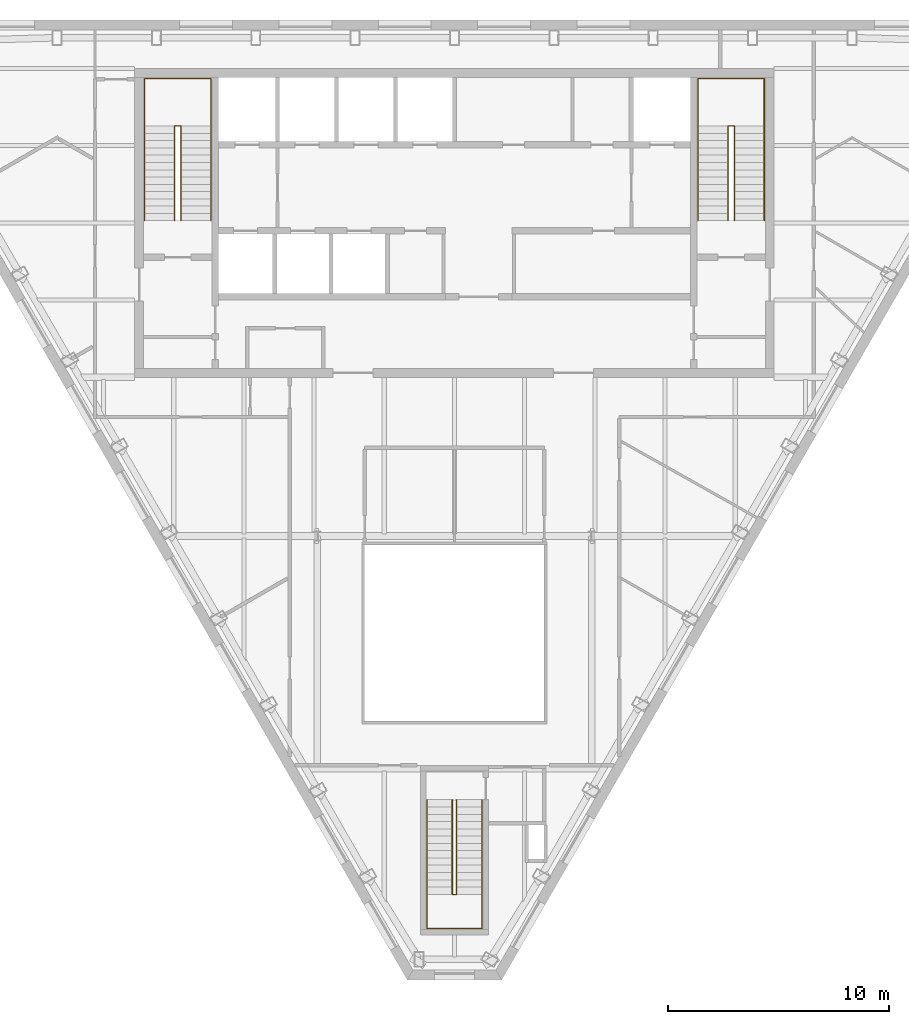
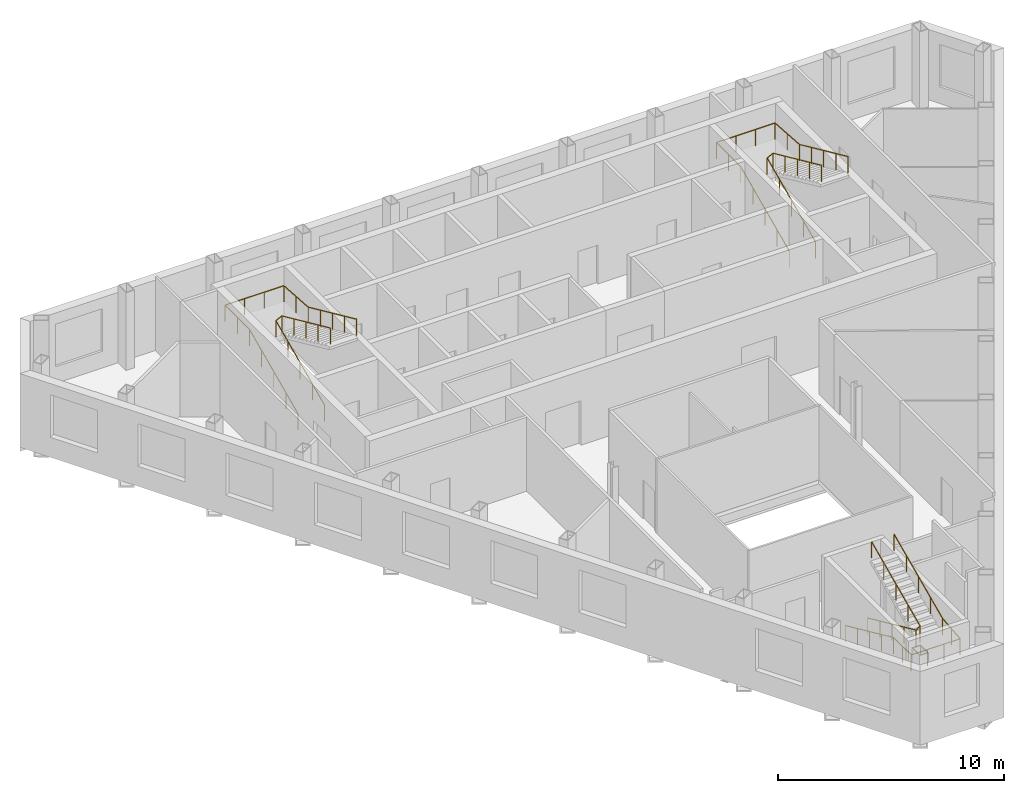
# One storey, part 9 of 9: 6 railings.
"""IFC4 building model written with IfcOpenShell, lengths in metres."""

from ifc_helpers import new_model, si_unit, direction, frame, origin, origin_2d, place, context, subcontext, project, spatial, circle, extrude, material, type_object, element, save


model = new_model("IFC4")

# Units and contexts
model_context = context("Model", 3, precision=1e-05, world=origin(), true_north=direction((0.0, 1.0)))
body_context = subcontext(model_context, "Body", "Model", "MODEL_VIEW")
ifc_project = project(units=[si_unit("LENGTHUNIT", "METRE"), si_unit("AREAUNIT", "SQUARE_METRE"), si_unit("VOLUMEUNIT", "CUBIC_METRE"), si_unit("PLANEANGLEUNIT", "RADIAN"), si_unit("MASSUNIT", "GRAM", prefix="KILO")], contexts=[model_context])

# Site, building, storey
site_placement = place(None, origin())
site = spatial("IfcSite", under=ifc_project, at=site_placement, CompositionType="ELEMENT")
building_placement = place(site_placement, origin())
building = spatial("IfcBuilding", under=site, at=building_placement, Name="Njiva Tower", CompositionType="ELEMENT")
storey_placement = place(building_placement, frame((0.0, 0.0, 321.0)))
storey = spatial("IfcBuildingStorey", under=building, at=storey_placement, Name="L73", CompositionType="ELEMENT", Elevation=321.0)

# Railings
ifc_material = material(Name="Stainless steel", Category="steel")
railing_type = type_object("IfcRailingType", Name="RL1 Stair handrail 900", PredefinedType="HANDRAIL", material=ifc_material)
railing_1_placement = place(storey_placement, frame((-14.05, 11.1, 0.15)))
element("IfcRailing", 1, at=railing_1_placement, inside=storey, type_object=railing_type, Name="Stair A handrail", PredefinedType="HANDRAIL", context=body_context, shape_type="SweptSolid", body=[
    extrude(circle(Radius=0.024, at=origin_2d()), frame((0.0, 0.0, 0.876), z_axis=(0.0, 0.910366477463, 0.413802944301), x_axis=(-1.0, 0.0, 0.0)), (0.0, 0.0, 1.0), 4.7124),
    extrude(circle(Radius=0.024, at=origin_2d()), frame((0.0, 4.29, 2.826), z_axis=(0.0, 1.0, 0.0), x_axis=(-1.0, 0.0, 0.0)), (0.0, 0.0, 1.0), 2.16),
    extrude(circle(Radius=0.024, at=origin_2d()), frame((0.0, 6.45, 2.826), z_axis=(1.0, 0.0, 0.0), x_axis=(0.0, 1.0, 0.0)), (0.0, 0.0, 1.0), 3.0),
    extrude(circle(Radius=0.024, at=origin_2d()), frame((3.0, 6.45, 2.826), z_axis=(0.0, -0.997597420968, 0.069277598678), x_axis=(1.0, 0.0, 0.0)), (0.0, 0.0, 1.0), 2.1652),
    extrude(circle(Radius=0.024, at=origin_2d()), frame((3.0, 4.29, 2.976), z_axis=(0.0, -0.910366477463, 0.413802944301), x_axis=(1.0, 0.0, 0.0)), (0.0, 0.0, 1.0), 4.7124),
    extrude(circle(Radius=0.021, at=origin_2d()), origin(), (0.0, 0.0, 1.0), 0.852),
    extrude(circle(Radius=0.021, at=origin_2d()), frame((0.0, 1.0725, 0.4875)), (0.0, 0.0, 1.0), 0.852),
    extrude(circle(Radius=0.021, at=origin_2d()), frame((0.0, 2.145, 0.975)), (0.0, 0.0, 1.0), 0.852),
    extrude(circle(Radius=0.021, at=origin_2d()), frame((0.0, 3.2175, 1.4625)), (0.0, 0.0, 1.0), 0.852),
    extrude(circle(Radius=0.021, at=origin_2d()), frame((0.0, 4.29, 1.95)), (0.0, 0.0, 1.0), 0.852),
    extrude(circle(Radius=0.021, at=origin_2d()), frame((0.0, 5.37, 1.95)), (0.0, 0.0, 1.0), 0.852),
    extrude(circle(Radius=0.021, at=origin_2d()), frame((0.0, 6.45, 1.95)), (0.0, 0.0, 1.0), 0.852),
    extrude(circle(Radius=0.021, at=origin_2d()), frame((1.0, 6.45, 1.95)), (0.0, 0.0, 1.0), 0.852),
    extrude(circle(Radius=0.021, at=origin_2d()), frame((2.0, 6.45, 1.95)), (0.0, 0.0, 1.0), 0.852),
    extrude(circle(Radius=0.021, at=origin_2d()), frame((3.0, 6.45, 1.95)), (0.0, 0.0, 1.0), 0.852),
    extrude(circle(Radius=0.021, at=origin_2d()), frame((3.0, 5.37, 2.025)), (0.0, 0.0, 1.0), 0.852),
    extrude(circle(Radius=0.021, at=origin_2d()), frame((3.0, 4.29, 2.1)), (0.0, 0.0, 1.0), 0.852),
    extrude(circle(Radius=0.021, at=origin_2d()), frame((3.0, 3.2175, 2.5875)), (0.0, 0.0, 1.0), 0.852),
    extrude(circle(Radius=0.021, at=origin_2d()), frame((3.0, 2.145, 3.075)), (0.0, 0.0, 1.0), 0.852),
    extrude(circle(Radius=0.021, at=origin_2d()), frame((3.0, 1.0725, 3.5625)), (0.0, 0.0, 1.0), 0.852),
    extrude(circle(Radius=0.021, at=origin_2d()), frame((3.0, 0.0, 4.05)), (0.0, 0.0, 1.0), 0.852),
])
railing_2_placement = place(storey_placement, frame((-12.7, 11.1, 0.15)))
element("IfcRailing", 2, at=railing_2_placement, inside=storey, type_object=railing_type, Name="Stair A handrail", PredefinedType="HANDRAIL", context=body_context, shape_type="SweptSolid", body=[
    extrude(circle(Radius=0.024, at=origin_2d()), frame((0.0, 0.0, 0.876), z_axis=(0.0, 0.910366477463, 0.413802944301), x_axis=(-1.0, 0.0, 0.0)), (0.0, 0.0, 1.0), 4.7124),
    extrude(circle(Radius=0.024, at=origin_2d()), frame((0.0, 4.29, 2.826), z_axis=(0.894427191, 0.0, 0.4472135955), x_axis=(0.0, 1.0, 0.0)), (0.0, 0.0, 1.0), 0.3354),
    extrude(circle(Radius=0.024, at=origin_2d()), frame((0.3, 4.29, 2.976), z_axis=(0.0, -0.910366477463, 0.413802944301), x_axis=(1.0, 0.0, 0.0)), (0.0, 0.0, 1.0), 4.7124),
    extrude(circle(Radius=0.021, at=origin_2d()), origin(), (0.0, 0.0, 1.0), 0.852),
    extrude(circle(Radius=0.021, at=origin_2d()), frame((0.0, 1.0725, 0.4875)), (0.0, 0.0, 1.0), 0.852),
    extrude(circle(Radius=0.021, at=origin_2d()), frame((0.0, 2.145, 0.975)), (0.0, 0.0, 1.0), 0.852),
    extrude(circle(Radius=0.021, at=origin_2d()), frame((0.0, 3.2175, 1.4625)), (0.0, 0.0, 1.0), 0.852),
    extrude(circle(Radius=0.021, at=origin_2d()), frame((0.0, 4.29, 1.95)), (0.0, 0.0, 1.0), 0.852),
    extrude(circle(Radius=0.021, at=origin_2d()), frame((0.3, 4.29, 2.1)), (0.0, 0.0, 1.0), 0.852),
    extrude(circle(Radius=0.021, at=origin_2d()), frame((0.3, 3.2175, 2.5875)), (0.0, 0.0, 1.0), 0.852),
    extrude(circle(Radius=0.021, at=origin_2d()), frame((0.3, 2.145, 3.075)), (0.0, 0.0, 1.0), 0.852),
    extrude(circle(Radius=0.021, at=origin_2d()), frame((0.3, 1.0725, 3.5625)), (0.0, 0.0, 1.0), 0.852),
    extrude(circle(Radius=0.021, at=origin_2d()), frame((0.3, 0.0, 4.05)), (0.0, 0.0, 1.0), 0.852),
])
railing_3_placement = place(storey_placement, frame((11.05, 11.1, 0.15)))
element("IfcRailing", 3, at=railing_3_placement, inside=storey, type_object=railing_type, Name="Stair B handrail", PredefinedType="HANDRAIL", context=body_context, shape_type="SweptSolid", body=[
    extrude(circle(Radius=0.024, at=origin_2d()), frame((0.0, 0.0, 0.876), z_axis=(0.0, 0.910366477463, 0.413802944301), x_axis=(-1.0, 0.0, 0.0)), (0.0, 0.0, 1.0), 4.7124),
    extrude(circle(Radius=0.024, at=origin_2d()), frame((0.0, 4.29, 2.826), z_axis=(0.0, 1.0, 0.0), x_axis=(-1.0, 0.0, 0.0)), (0.0, 0.0, 1.0), 2.16),
    extrude(circle(Radius=0.024, at=origin_2d()), frame((0.0, 6.45, 2.826), z_axis=(1.0, 0.0, 0.0), x_axis=(0.0, 1.0, 0.0)), (0.0, 0.0, 1.0), 3.0),
    extrude(circle(Radius=0.024, at=origin_2d()), frame((3.0, 6.45, 2.826), z_axis=(0.0, -0.997597420968, 0.069277598678), x_axis=(1.0, 0.0, 0.0)), (0.0, 0.0, 1.0), 2.1652),
    extrude(circle(Radius=0.024, at=origin_2d()), frame((3.0, 4.29, 2.976), z_axis=(0.0, -0.910366477463, 0.413802944301), x_axis=(1.0, 0.0, 0.0)), (0.0, 0.0, 1.0), 4.7124),
    extrude(circle(Radius=0.021, at=origin_2d()), origin(), (0.0, 0.0, 1.0), 0.852),
    extrude(circle(Radius=0.021, at=origin_2d()), frame((0.0, 1.0725, 0.4875)), (0.0, 0.0, 1.0), 0.852),
    extrude(circle(Radius=0.021, at=origin_2d()), frame((0.0, 2.145, 0.975)), (0.0, 0.0, 1.0), 0.852),
    extrude(circle(Radius=0.021, at=origin_2d()), frame((0.0, 3.2175, 1.4625)), (0.0, 0.0, 1.0), 0.852),
    extrude(circle(Radius=0.021, at=origin_2d()), frame((0.0, 4.29, 1.95)), (0.0, 0.0, 1.0), 0.852),
    extrude(circle(Radius=0.021, at=origin_2d()), frame((0.0, 5.37, 1.95)), (0.0, 0.0, 1.0), 0.852),
    extrude(circle(Radius=0.021, at=origin_2d()), frame((0.0, 6.45, 1.95)), (0.0, 0.0, 1.0), 0.852),
    extrude(circle(Radius=0.021, at=origin_2d()), frame((1.0, 6.45, 1.95)), (0.0, 0.0, 1.0), 0.852),
    extrude(circle(Radius=0.021, at=origin_2d()), frame((2.0, 6.45, 1.95)), (0.0, 0.0, 1.0), 0.852),
    extrude(circle(Radius=0.021, at=origin_2d()), frame((3.0, 6.45, 1.95)), (0.0, 0.0, 1.0), 0.852),
    extrude(circle(Radius=0.021, at=origin_2d()), frame((3.0, 5.37, 2.025)), (0.0, 0.0, 1.0), 0.852),
    extrude(circle(Radius=0.021, at=origin_2d()), frame((3.0, 4.29, 2.1)), (0.0, 0.0, 1.0), 0.852),
    extrude(circle(Radius=0.021, at=origin_2d()), frame((3.0, 3.2175, 2.5875)), (0.0, 0.0, 1.0), 0.852),
    extrude(circle(Radius=0.021, at=origin_2d()), frame((3.0, 2.145, 3.075)), (0.0, 0.0, 1.0), 0.852),
    extrude(circle(Radius=0.021, at=origin_2d()), frame((3.0, 1.0725, 3.5625)), (0.0, 0.0, 1.0), 0.852),
    extrude(circle(Radius=0.021, at=origin_2d()), frame((3.0, 0.0, 4.05)), (0.0, 0.0, 1.0), 0.852),
])
railing_4_placement = place(storey_placement, frame((12.4, 11.1, 0.15)))
element("IfcRailing", 4, at=railing_4_placement, inside=storey, type_object=railing_type, Name="Stair B handrail", PredefinedType="HANDRAIL", context=body_context, shape_type="SweptSolid", body=[
    extrude(circle(Radius=0.024, at=origin_2d()), frame((0.0, 0.0, 0.876), z_axis=(0.0, 0.910366477463, 0.413802944301), x_axis=(-1.0, 0.0, 0.0)), (0.0, 0.0, 1.0), 4.7124),
    extrude(circle(Radius=0.024, at=origin_2d()), frame((0.0, 4.29, 2.826), z_axis=(0.894427191, 0.0, 0.4472135955), x_axis=(0.0, 1.0, 0.0)), (0.0, 0.0, 1.0), 0.3354),
    extrude(circle(Radius=0.024, at=origin_2d()), frame((0.3, 4.29, 2.976), z_axis=(0.0, -0.910366477463, 0.413802944301), x_axis=(1.0, 0.0, 0.0)), (0.0, 0.0, 1.0), 4.7124),
    extrude(circle(Radius=0.021, at=origin_2d()), origin(), (0.0, 0.0, 1.0), 0.852),
    extrude(circle(Radius=0.021, at=origin_2d()), frame((0.0, 1.0725, 0.4875)), (0.0, 0.0, 1.0), 0.852),
    extrude(circle(Radius=0.021, at=origin_2d()), frame((0.0, 2.145, 0.975)), (0.0, 0.0, 1.0), 0.852),
    extrude(circle(Radius=0.021, at=origin_2d()), frame((0.0, 3.2175, 1.4625)), (0.0, 0.0, 1.0), 0.852),
    extrude(circle(Radius=0.021, at=origin_2d()), frame((0.0, 4.29, 1.95)), (0.0, 0.0, 1.0), 0.852),
    extrude(circle(Radius=0.021, at=origin_2d()), frame((0.3, 4.29, 2.1)), (0.0, 0.0, 1.0), 0.852),
    extrude(circle(Radius=0.021, at=origin_2d()), frame((0.3, 3.2175, 2.5875)), (0.0, 0.0, 1.0), 0.852),
    extrude(circle(Radius=0.021, at=origin_2d()), frame((0.3, 2.145, 3.075)), (0.0, 0.0, 1.0), 0.852),
    extrude(circle(Radius=0.021, at=origin_2d()), frame((0.3, 1.0725, 3.5625)), (0.0, 0.0, 1.0), 0.852),
    extrude(circle(Radius=0.021, at=origin_2d()), frame((0.3, 0.0, 4.05)), (0.0, 0.0, 1.0), 0.852),
])
railing_5_placement = place(storey_placement, frame((-1.25, -15.16, 0.15)))
element("IfcRailing", 5, at=railing_5_placement, inside=storey, type_object=railing_type, Name="Stair C handrail", PredefinedType="HANDRAIL", context=body_context, shape_type="SweptSolid", body=[
    extrude(circle(Radius=0.024, at=origin_2d()), frame((0.0, 0.0, 0.876), z_axis=(0.0, -0.910366477463, 0.413802944301), x_axis=(1.0, 0.0, 0.0)), (0.0, 0.0, 1.0), 4.7124),
    extrude(circle(Radius=0.024, at=origin_2d()), frame((0.0, -4.29, 2.826), z_axis=(0.0, -1.0, 0.0), x_axis=(1.0, 0.0, 0.0)), (0.0, 0.0, 1.0), 1.55),
    extrude(circle(Radius=0.024, at=origin_2d()), frame((0.0, -5.84, 2.826), z_axis=(1.0, 0.0, 0.0), x_axis=(0.0, 1.0, 0.0)), (0.0, 0.0, 1.0), 2.5),
    extrude(circle(Radius=0.024, at=origin_2d()), frame((2.5, -5.84, 2.826), z_axis=(0.0, 0.995350013555, 0.09632419486), x_axis=(-1.0, 0.0, 0.0)), (0.0, 0.0, 1.0), 1.5572),
    extrude(circle(Radius=0.024, at=origin_2d()), frame((2.5, -4.29, 2.976), z_axis=(0.0, 0.910366477463, 0.413802944301), x_axis=(-1.0, 0.0, 0.0)), (0.0, 0.0, 1.0), 4.7124),
    extrude(circle(Radius=0.021, at=origin_2d()), origin(), (0.0, 0.0, 1.0), 0.852),
    extrude(circle(Radius=0.021, at=origin_2d()), frame((0.0, -1.0725, 0.4875)), (0.0, 0.0, 1.0), 0.852),
    extrude(circle(Radius=0.021, at=origin_2d()), frame((0.0, -2.145, 0.975)), (0.0, 0.0, 1.0), 0.852),
    extrude(circle(Radius=0.021, at=origin_2d()), frame((0.0, -3.2175, 1.4625)), (0.0, 0.0, 1.0), 0.852),
    extrude(circle(Radius=0.021, at=origin_2d()), frame((0.0, -4.29, 1.95)), (0.0, 0.0, 1.0), 0.852),
    extrude(circle(Radius=0.021, at=origin_2d()), frame((0.0, -5.065, 1.95)), (0.0, 0.0, 1.0), 0.852),
    extrude(circle(Radius=0.021, at=origin_2d()), frame((0.0, -5.84, 1.95)), (0.0, 0.0, 1.0), 0.852),
    extrude(circle(Radius=0.021, at=origin_2d()), frame((0.8333, -5.84, 1.95)), (0.0, 0.0, 1.0), 0.852),
    extrude(circle(Radius=0.021, at=origin_2d()), frame((1.6667, -5.84, 1.95)), (0.0, 0.0, 1.0), 0.852),
    extrude(circle(Radius=0.021, at=origin_2d()), frame((2.5, -5.84, 1.95)), (0.0, 0.0, 1.0), 0.852),
    extrude(circle(Radius=0.021, at=origin_2d()), frame((2.5, -5.065, 2.025)), (0.0, 0.0, 1.0), 0.852),
    extrude(circle(Radius=0.021, at=origin_2d()), frame((2.5, -4.29, 2.1)), (0.0, 0.0, 1.0), 0.852),
    extrude(circle(Radius=0.021, at=origin_2d()), frame((2.5, -3.2175, 2.5875)), (0.0, 0.0, 1.0), 0.852),
    extrude(circle(Radius=0.021, at=origin_2d()), frame((2.5, -2.145, 3.075)), (0.0, 0.0, 1.0), 0.852),
    extrude(circle(Radius=0.021, at=origin_2d()), frame((2.5, -1.0725, 3.5625)), (0.0, 0.0, 1.0), 0.852),
    extrude(circle(Radius=0.021, at=origin_2d()), frame((2.5, 0.0, 4.05)), (0.0, 0.0, 1.0), 0.852),
])
railing_6_placement = place(storey_placement, frame((-0.1, -15.16, 0.15)))
element("IfcRailing", 6, at=railing_6_placement, inside=storey, type_object=railing_type, Name="Stair C handrail", PredefinedType="HANDRAIL", context=body_context, shape_type="SweptSolid", body=[
    extrude(circle(Radius=0.024, at=origin_2d()), frame((0.0, 0.0, 0.876), z_axis=(0.0, -0.910366477463, 0.413802944301), x_axis=(1.0, 0.0, 0.0)), (0.0, 0.0, 1.0), 4.7124),
    extrude(circle(Radius=0.024, at=origin_2d()), frame((0.0, -4.29, 2.826), z_axis=(0.8, 0.0, 0.6), x_axis=(0.0, 1.0, 0.0)), (0.0, 0.0, 1.0), 0.25),
    extrude(circle(Radius=0.024, at=origin_2d()), frame((0.2, -4.29, 2.976), z_axis=(0.0, 0.910366477463, 0.413802944301), x_axis=(-1.0, 0.0, 0.0)), (0.0, 0.0, 1.0), 4.7124),
    extrude(circle(Radius=0.021, at=origin_2d()), origin(), (0.0, 0.0, 1.0), 0.852),
    extrude(circle(Radius=0.021, at=origin_2d()), frame((0.0, -1.0725, 0.4875)), (0.0, 0.0, 1.0), 0.852),
    extrude(circle(Radius=0.021, at=origin_2d()), frame((0.0, -2.145, 0.975)), (0.0, 0.0, 1.0), 0.852),
    extrude(circle(Radius=0.021, at=origin_2d()), frame((0.0, -3.2175, 1.4625)), (0.0, 0.0, 1.0), 0.852),
    extrude(circle(Radius=0.021, at=origin_2d()), frame((0.0, -4.29, 1.95)), (0.0, 0.0, 1.0), 0.852),
    extrude(circle(Radius=0.021, at=origin_2d()), frame((0.2, -4.29, 2.1)), (0.0, 0.0, 1.0), 0.852),
    extrude(circle(Radius=0.021, at=origin_2d()), frame((0.2, -3.2175, 2.5875)), (0.0, 0.0, 1.0), 0.852),
    extrude(circle(Radius=0.021, at=origin_2d()), frame((0.2, -2.145, 3.075)), (0.0, 0.0, 1.0), 0.852),
    extrude(circle(Radius=0.021, at=origin_2d()), frame((0.2, -1.0725, 3.5625)), (0.0, 0.0, 1.0), 0.852),
    extrude(circle(Radius=0.021, at=origin_2d()), frame((0.2, 0.0, 4.05)), (0.0, 0.0, 1.0), 0.852),
])

save(model, "model.ifc")
